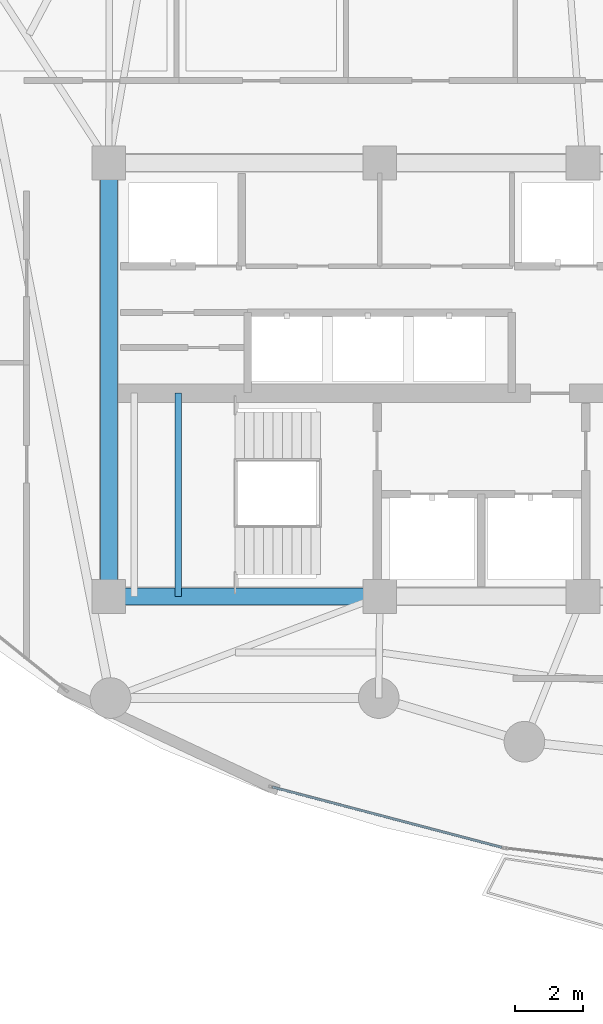
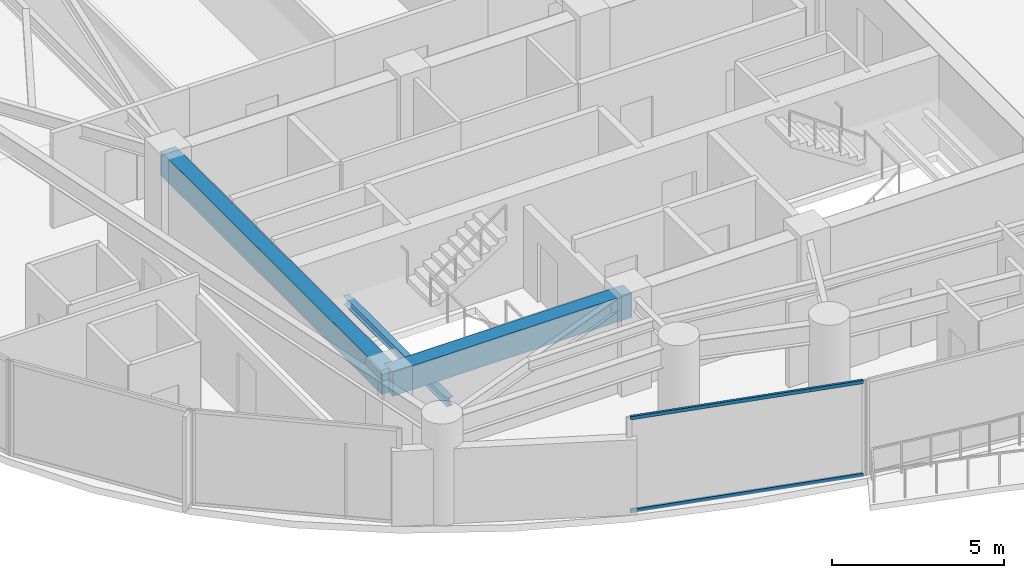
# One storey, part 4 of 34: 3 beams, 2 members, 1 element without a shape of its own.
"""IFC4 building model written with IfcOpenShell, lengths in metres."""

from ifc_helpers import new_model, si_unit, direction, frame, origin, origin_2d, place, context, subcontext, project, spatial, rectangle, hollow_rectangle, i_section, extrude, material, layer, layer_set, material_profile, profile_set, type_object, element, aggregate, save


model = new_model("IFC4")

# Units and contexts
model_context = context("Model", 3, precision=1e-05, world=origin(), true_north=direction((0.0, 1.0)))
body_context = subcontext(model_context, "Body", "Model", "MODEL_VIEW")
ifc_project = project(units=[si_unit("LENGTHUNIT", "METRE"), si_unit("AREAUNIT", "SQUARE_METRE"), si_unit("VOLUMEUNIT", "CUBIC_METRE"), si_unit("PLANEANGLEUNIT", "RADIAN"), si_unit("MASSUNIT", "GRAM", prefix="KILO")], contexts=[model_context])

# Site, building, storey
site_placement = place(None, origin())
site = spatial("IfcSite", under=ifc_project, at=site_placement, CompositionType="ELEMENT")
building_placement = place(site_placement, origin())
building = spatial("IfcBuilding", under=site, at=building_placement, Name="Kazevale Care Tower and Concert Hall", CompositionType="ELEMENT")
storey_placement = place(building_placement, frame((0.0, 0.0, 156.60009765625)))
storey = spatial("IfcBuildingStorey", under=building, at=storey_placement, Name="L41", CompositionType="ELEMENT", Elevation=156.60009765625)

# Curtain wall, members
ifc_material_1 = material(Name="Aluminium 6063-T6 and Low-E Glass", Category="aluminium")
ifc_layer = layer(ifc_material_1, 0.179931640625)
ifc_layer_set = layer_set([ifc_layer], Name="Aluminium 6063-T6 and Low-E Glass")
curtain_wall_type = type_object("IfcCurtainWallType", Name="Sheltered Concave Balcony Curtain Wall CW-5", PredefinedType="NOTDEFINED", material=ifc_layer_set)
curtain_wall_placement = place(storey_placement, origin())
curtain_wall = element("IfcCurtainWall", 1, at=curtain_wall_placement, inside=storey, type_object=curtain_wall_type, Name="cw:L41:f08", PredefinedType="NOTDEFINED")
ifc_material_2 = material(Name="Aluminium 6063-T6", Category="aluminium")
ifc_material_profile_1 = material_profile(ifc_material_2, hollow_rectangle(XDim=0.074951171875, YDim=0.1201171875, WallThickness=0.00390625, at=origin_2d()), Name="ALU75x120x4")
ifc_profile_set_1 = profile_set([ifc_material_profile_1], Name="Aluminium 6063-T6")
member_type = type_object("IfcMemberType", Name="CW-5 Transom ALU75x120x4", PredefinedType="USERDEFINED", material=ifc_profile_set_1)
member_1_placement = place(storey_placement, frame((33.598388671875, 16.193115234375, 0.037353515625), z_axis=(-0.967142752699, 0.254233939321, 0.0), x_axis=(-0.254233939321, -0.967142752699, 0.0)))
member_1 = element("IfcMember", 2, at=member_1_placement, type_object=member_type, Name="CW-5 transom 1.1", ObjectType="TRANSOM", PredefinedType="USERDEFINED", context=body_context, shape_type="SweptSolid", body=[
    extrude(hollow_rectangle(XDim=0.074951171875, YDim=0.1201171875, WallThickness=0.00390625, at=origin_2d()), origin(), (0.0, 0.0, 1.0), 6.996826171875),
])
member_2_placement = place(storey_placement, frame((33.598388671875, 16.193115234375, 3.322509765625), z_axis=(-0.967142752699, 0.254233939321, 0.0), x_axis=(-0.254233939321, -0.967142752699, 0.0)))
member_2 = element("IfcMember", 3, at=member_2_placement, type_object=member_type, Name="CW-5 transom 1.2", ObjectType="TRANSOM", PredefinedType="USERDEFINED", context=body_context, shape_type="SweptSolid", body=[
    extrude(hollow_rectangle(XDim=0.074951171875, YDim=0.1201171875, WallThickness=0.00390625, at=origin_2d()), origin(), (0.0, 0.0, 1.0), 6.996826171875),
])
aggregate(curtain_wall, [member_1, member_2])

# Beams
ifc_material_3 = material(Name="Concrete C60", Category="concrete")
ifc_material_profile_2 = material_profile(ifc_material_3, rectangle(XDim=0.5, YDim=0.85009765625, at=origin_2d()), Name="RC-B500x850")
ifc_profile_set_2 = profile_set([ifc_material_profile_2], Name="Concrete C60")
beam_type_1 = type_object("IfcBeamType", Name="Core Coupling Beam RC500x850", PredefinedType="LINTEL", material=ifc_profile_set_2)
beam_1_placement = place(storey_placement, frame((22.0, 23.60009765625, 2.934814453125), z_axis=(1.0, 0.0, 0.0), x_axis=(0.0, 1.0, 0.0)))
element("IfcBeam", 4, at=beam_1_placement, inside=storey, type_object=beam_type_1, Name="beam:L41:coretie:1", PredefinedType="LINTEL", context=body_context, shape_type="SweptSolid", body=[
    extrude(rectangle(XDim=0.5, YDim=0.85009765625, at=origin_2d()), origin(), (0.0, 0.0, 1.0), 8.0),
])
beam_2_placement = place(storey_placement, frame((22.0, 36.39990234375, 2.934814453125), z_axis=(0.0, -1.0, 0.0), x_axis=(1.0, 0.0, 0.0)))
element("IfcBeam", 5, at=beam_2_placement, inside=storey, type_object=beam_type_1, Name="beam:L41:coretie:8", PredefinedType="LINTEL", context=body_context, shape_type="SweptSolid", body=[
    extrude(rectangle(XDim=0.5, YDim=0.85009765625, at=origin_2d()), origin(), (0.0, 0.0, 1.0), 12.7998046875),
])
ifc_material_4 = material(Name="Steel ASTM A572 Gr 50", Category="steel")
ifc_material_profile_3 = material_profile(ifc_material_4, i_section(OverallWidth=0.202880859375, OverallDepth=0.302978515625, WebThickness=0.007568359375, FlangeThickness=0.01318359375, at=origin_2d()), Name="W310x60")
ifc_profile_set_3 = profile_set([ifc_material_profile_3], Name="Steel ASTM A572 Gr 50")
beam_type_2 = type_object("IfcBeamType", Name="Stair & Balcony Trimmer W310x60", PredefinedType="BEAM", material=ifc_profile_set_3)
beam_3_placement = place(storey_placement, frame((24.050048828125, 23.60009765625, 1.448486328125), z_axis=(0.0, 1.0, 0.0), x_axis=(-1.0, 0.0, 0.0)))
element("IfcBeam", 6, at=beam_3_placement, inside=storey, type_object=beam_type_2, Name="beam:L41:sttrim:ST1b", PredefinedType="BEAM", context=body_context, shape_type="SweptSolid", body=[
    extrude(i_section(OverallWidth=0.202880859375, OverallDepth=0.302978515625, WebThickness=0.007568359375, FlangeThickness=0.01318359375, at=origin_2d()), origin(), (0.0, 0.0, 1.0), 6.0),
])

save(model, "model.ifc")
